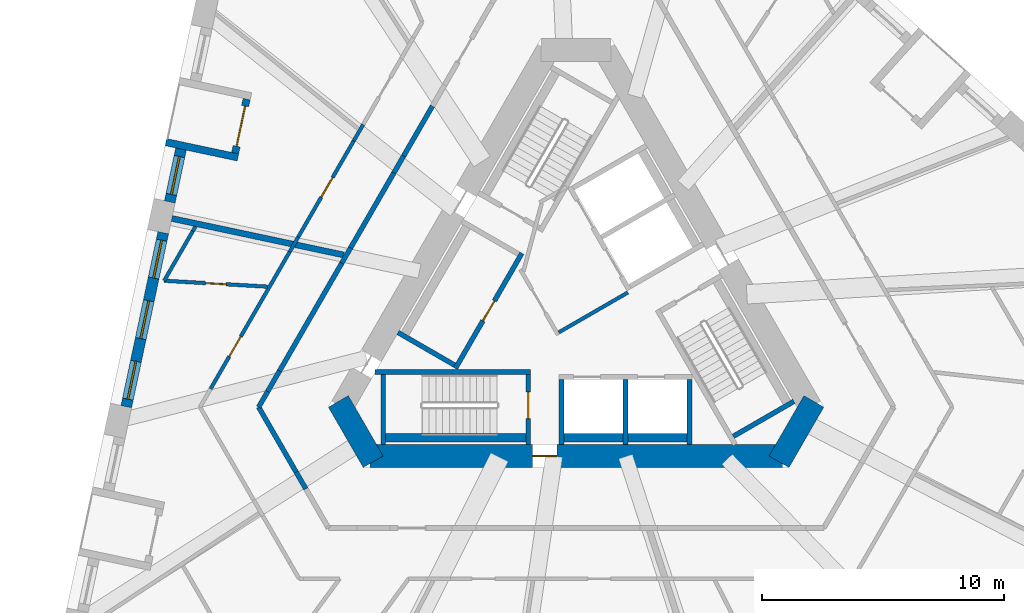
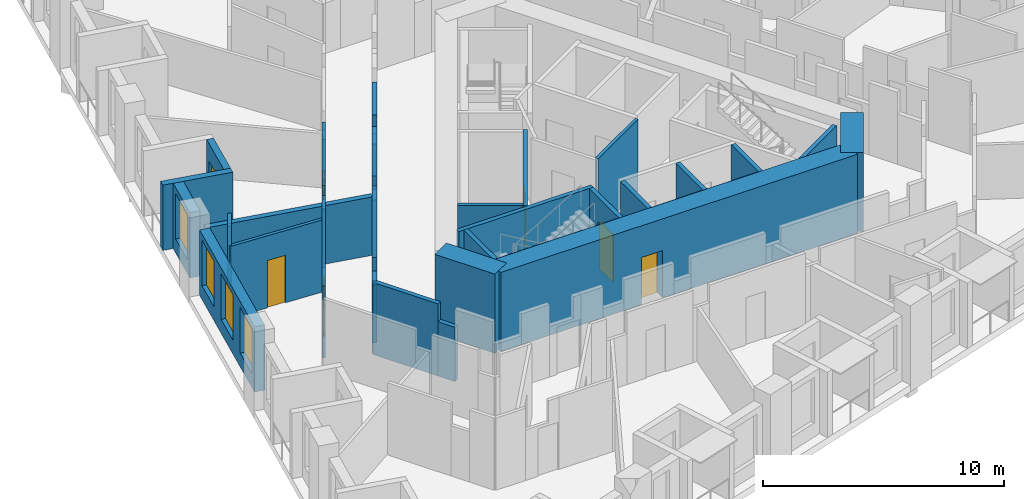
# One storey, part 4 of 12: 36 walls, 7 doors, 4 windows, 11 openings.
"""IFC4 building model written with IfcOpenShell, lengths in metres."""

from ifc_helpers import new_model, si_unit, direction, frame, frame_2d, origin, place, context, subcontext, project, spatial, rectangle, extrude, material, layer, layer_set, type_object, element, fill, save


model = new_model("IFC4")

# Units and contexts
model_context = context("Model", 3, precision=1e-05, world=origin(), true_north=direction((0.0, 1.0)))
body_context = subcontext(model_context, "Body", "Model", "MODEL_VIEW")
ifc_project = project(units=[si_unit("LENGTHUNIT", "METRE"), si_unit("AREAUNIT", "SQUARE_METRE"), si_unit("VOLUMEUNIT", "CUBIC_METRE"), si_unit("PLANEANGLEUNIT", "RADIAN"), si_unit("MASSUNIT", "GRAM", prefix="KILO")], contexts=[model_context])

# Site, building, storey
site_placement = place(None, origin())
site = spatial("IfcSite", under=ifc_project, at=site_placement, CompositionType="ELEMENT")
building_placement = place(site_placement, origin())
building = spatial("IfcBuilding", under=site, at=building_placement, Name="Tramontana Tower", CompositionType="ELEMENT")
storey_placement = place(building_placement, frame((0.0, 0.0, 88.39990234375)))
storey = spatial("IfcBuildingStorey", under=building, at=storey_placement, Name="L19", CompositionType="ELEMENT", Elevation=88.39990234375)

# Wall
ifc_material_1 = material(Name="Concrete 70 MPa", Category="concrete")
ifc_layer_1 = layer(ifc_material_1, 0.949951171875)
ifc_layer_set_1 = layer_set([ifc_layer_1], Name="Core wall 950 70 MPa")
wall_type_1 = type_object("IfcWallType", Name="Core wall 950 70 MPa", PredefinedType="SHEAR", material=ifc_layer_set_1)
wall_1_placement = place(storey_placement, frame((-9.836669921875, -4.012451171875, 0.0), z_axis=(0.0, 0.0, 1.0), x_axis=(0.499995765644, -0.866027848477, 0.0)))
element("IfcWall", 1, at=wall_1_placement, inside=storey, type_object=wall_type_1, Name="Core wall C2 L19", PredefinedType="SHEAR", context=body_context, shape_type="SweptSolid", body=[
    extrude(rectangle(XDim=2.88671875, YDim=0.949951171875, at=frame_2d((1.443359375, 0.0))), origin(), (0.0, 0.0, 1.0), 4.0),
])

# Wall, opening, door
wall_2_placement = place(storey_placement, frame((-8.530517578125, -6.27490234375, 0.0), z_axis=(0.0, 0.0, 1.0), x_axis=(1.0, 0.0, 0.0)))
wall_2 = element("IfcWall", 2, at=wall_2_placement, inside=storey, type_object=wall_type_1, Name="Core wall C3 L19", PredefinedType="SHEAR", context=body_context, shape_type="SweptSolid", body=[
    extrude(rectangle(XDim=17.06103515625, YDim=0.949951171875, at=frame_2d((8.530517578125, 0.0))), origin(), (0.0, 0.0, 1.0), 4.0),
])
opening_1_placement = place(wall_2_placement, frame((6.7353515625, 0.0, 0.0)))
opening_1 = element("IfcOpeningElement", 3, at=opening_1_placement, cuts=wall_2, Name="Opening RG2", PredefinedType="OPENING", context=body_context, shape_type="SweptSolid", body=[
    extrude(rectangle(XDim=1.0, YDim=2.39990234375, at=frame_2d((0.5, 1.199951171875))), frame((0.0, 0.48486328125, 0.0), z_axis=(0.0, -1.0, 0.0), x_axis=(1.0, 0.0, 0.0)), (0.0, 0.0, 1.0), 0.969970703125),
])
ifc_material_2 = material(Name="Painted steel", Category="steel")
door_type_1 = type_object("IfcDoorType", Name="RING DOOR 1000", OperationType="SINGLE_SWING_LEFT", PredefinedType="DOOR", material=ifc_material_2)
door_1_placement = place(opening_1_placement, origin())
door_1 = element("IfcDoor", 4, at=door_1_placement, inside=storey, type_object=door_type_1, Name="Door RG2", OperationType="SINGLE_SWING_RIGHT", OverallHeight=2.39990234375, OverallWidth=1.0, PredefinedType="DOOR", context=body_context, shape_type="SweptSolid", body=[
    extrude(rectangle(XDim=1.0, YDim=2.39990234375, at=frame_2d((0.5, 1.199951171875))), frame((0.0, 0.02490234375, 0.0), z_axis=(0.0, -1.0, 0.0), x_axis=(1.0, 0.0, 0.0)), (0.0, 0.0, 1.0), 0.050048828125),
])
fill(opening_1, door_1)

# Walls
wall_3_placement = place(storey_placement, frame((8.393310546875, -6.512451171875, 0.0), z_axis=(0.0, 0.0, 1.0), x_axis=(0.499995765644, 0.866027848477, 0.0)))
element("IfcWall", 5, at=wall_3_placement, inside=storey, type_object=wall_type_1, Name="Core wall C4 L19", PredefinedType="SHEAR", context=body_context, shape_type="SweptSolid", body=[
    extrude(rectangle(XDim=2.88671875, YDim=0.949951171875, at=frame_2d((1.443359375, 0.0))), origin(), (0.0, 0.0, 1.0), 4.0),
])
ifc_material_3 = material(Name="Blockwork", Category="masonry")
ifc_layer_2 = layer(ifc_material_3, 0.199951171875)
ifc_layer_set_2 = layer_set([ifc_layer_2], Name="ENTRY WALL 200")
wall_type_2 = type_object("IfcWallType", Name="ENTRY WALL 200", PredefinedType="SOLIDWALL", material=ifc_layer_set_2)
wall_4_placement = place(storey_placement, frame((-11.181884765625, -7.63232421875, 0.0), z_axis=(0.0, 0.0, 1.0), x_axis=(-0.499942357345, 0.866058681229, 0.0)))
element("IfcWall", 6, at=wall_4_placement, inside=storey, type_object=wall_type_2, Name="Wall v20-ew3-2", PredefinedType="SOLIDWALL", context=body_context, shape_type="SweptSolid", body=[
    extrude(rectangle(XDim=0.80078125, YDim=0.199951171875, at=frame_2d((0.400390625, 0.0))), origin(), (0.0, 0.0, 1.0), 2.75),
])
wall_5_placement = place(storey_placement, frame((-11.582275390625, -6.938720703125, 0.0), z_axis=(0.0, 0.0, 1.0), x_axis=(-0.500037831766, 0.866003560503, 0.0)))
element("IfcWall", 7, at=wall_5_placement, inside=storey, type_object=wall_type_2, Name="Wall v20-ew3-3", PredefinedType="SOLIDWALL", context=body_context, shape_type="SweptSolid", body=[
    extrude(rectangle(XDim=3.104736328125, YDim=0.199951171875, at=frame_2d((1.55224609375, 0.0))), origin(), (0.0, 0.0, 1.0), 3.650146484375),
])
wall_6_placement = place(storey_placement, frame((-13.134765625, -4.25, 0.0), z_axis=(0.0, 0.0, 1.0), x_axis=(0.499987686533, 0.866032512851, 0.0)))
element("IfcWall", 8, at=wall_6_placement, inside=storey, type_object=wall_type_2, Name="Wall v20-ew4-0", PredefinedType="SOLIDWALL", context=body_context, shape_type="SweptSolid", body=[
    extrude(rectangle(XDim=0.74365234375, YDim=0.199951171875, at=frame_2d((0.371826171875, 0.0))), origin(), (0.0, 0.0, 1.0), 3.650146484375),
])
wall_7_placement = place(storey_placement, frame((-12.762939453125, -3.60595703125, 0.0), z_axis=(0.0, 0.0, 1.0), x_axis=(0.500061185694, 0.865990075325, 0.0)))
element("IfcWall", 9, at=wall_7_placement, inside=storey, type_object=wall_type_2, Name="Wall v20-ew4-1", PredefinedType="SOLIDWALL", context=body_context, shape_type="SweptSolid", body=[
    extrude(rectangle(XDim=0.9775390625, YDim=0.199951171875, at=frame_2d((0.48876953125, 0.0))), origin(), (0.0, 0.0, 1.0), 2.9501953125),
])
wall_8_placement = place(storey_placement, frame((-12.274169921875, -2.759521484375, 0.0), z_axis=(0.0, 0.0, 1.0), x_axis=(0.500001317485, 0.866024643133, 0.0)))
element("IfcWall", 10, at=wall_8_placement, inside=storey, type_object=wall_type_2, Name="Wall v20-ew4-2", PredefinedType="SOLIDWALL", context=body_context, shape_type="SweptSolid", body=[
    extrude(rectangle(XDim=5.1533203125, YDim=0.199951171875, at=frame_2d((2.57666015625, 0.0))), origin(), (0.0, 0.0, 1.0), 3.650146484375),
])
wall_9_placement = place(storey_placement, frame((-9.697509765625, 1.703369140625, 0.0), z_axis=(0.0, 0.0, 1.0), x_axis=(0.499885169746, 0.866091690913, 0.0)))
element("IfcWall", 11, at=wall_9_placement, inside=storey, type_object=wall_type_2, Name="Wall v20-ew4-3", PredefinedType="SOLIDWALL", context=body_context, shape_type="SweptSolid", body=[
    extrude(rectangle(XDim=0.736083984375, YDim=0.199951171875, at=frame_2d((0.3681640625, 0.0))), origin(), (0.0, 0.0, 1.0), 2.9501953125),
])
wall_10_placement = place(storey_placement, frame((-9.32958984375, 2.3408203125, 0.0), z_axis=(0.0, 0.0, 1.0), x_axis=(0.500029679218, 0.866008267802, 0.0)))
element("IfcWall", 12, at=wall_10_placement, inside=storey, type_object=wall_type_2, Name="Wall v20-ew4-4", PredefinedType="SOLIDWALL", context=body_context, shape_type="SweptSolid", body=[
    extrude(rectangle(XDim=3.576904296875, YDim=0.199951171875, at=frame_2d((1.78857421875, 0.0))), origin(), (0.0, 0.0, 1.0), 3.650146484375),
])
wall_11_placement = place(storey_placement, frame((-7.541015625, 5.4384765625, 0.0), z_axis=(0.0, 0.0, 1.0), x_axis=(0.499809598504, 0.866135304236, 0.0)))
element("IfcWall", 13, at=wall_11_placement, inside=storey, type_object=wall_type_2, Name="Wall v20-ew4-5", PredefinedType="SOLIDWALL", context=body_context, shape_type="SweptSolid", body=[
    extrude(rectangle(XDim=0.808349609375, YDim=0.199951171875, at=frame_2d((0.404296875, 0.0))), origin(), (0.0, 0.0, 1.0), 2.75),
])
wall_12_placement = place(storey_placement, frame((-7.136962890625, 6.138671875, 0.0), z_axis=(0.0, 0.0, 1.0), x_axis=(0.500035462246, 0.866004928679, 0.0)))
element("IfcWall", 14, at=wall_12_placement, inside=storey, type_object=wall_type_2, Name="Wall v20-ew4-6", PredefinedType="SOLIDWALL", context=body_context, shape_type="SweptSolid", body=[
    extrude(rectangle(XDim=2.385498046875, YDim=0.199951171875, at=frame_2d((1.19287109375, 0.0))), origin(), (0.0, 0.0, 1.0), 3.650146484375),
])

# Wall, opening, window
ifc_material_4 = material(Name="Precast concrete 60 MPa", Category="concrete")
ifc_layer_3 = layer(ifc_material_4, 0.449951171875)
ifc_layer_set_3 = layer_set([ifc_layer_3], Name="Precast concrete 60 MPa, 450 mm")
wall_type_3 = type_object("IfcWallType", Name="EW1 Stone-faced precast wall 450", PredefinedType="SOLIDWALL", material=ifc_layer_set_3)
wall_13_placement = place(storey_placement, frame((-16.34619140625, 6.42578125, 0.0), z_axis=(0.0, 0.0, 1.0), x_axis=(-0.207918801611, -0.978146089261, 0.0)))
wall_13 = element("IfcWall", 15, at=wall_13_placement, inside=storey, type_object=wall_type_3, Name="External wall L19 face 0 bay 3", PredefinedType="SOLIDWALL", context=body_context, shape_type="SweptSolid", body=[
    extrude(rectangle(XDim=2.23681640625, YDim=0.449951171875, at=frame_2d((1.118408203125, 0.0))), origin(), (0.0, 0.0, 1.0), 3.300048828125),
])
opening_2_placement = place(wall_13_placement, frame((0.318359375, 0.0, 0.699951171875)))
opening_2 = element("IfcOpeningElement", 16, at=opening_2_placement, cuts=wall_13, Name="Opening M1", PredefinedType="OPENING", context=body_context, shape_type="SweptSolid", body=[
    extrude(rectangle(XDim=1.60009765625, YDim=2.300048828125, at=frame_2d((0.800048828125, 1.14990234375))), frame((0.0, 0.23486328125, 0.0), z_axis=(0.0, -1.0, 0.0), x_axis=(1.0, 0.0, 0.0)), (0.0, 0.0, 1.0), 0.469970703125),
])
ifc_material_5 = material(Name="Aluminum frame, double glazing unit", Category="aluminium")
window_type = type_object("IfcWindowType", Name="M1 Window 1.6 x 2.3", PartitioningType="SINGLE_PANEL", PredefinedType="WINDOW", material=ifc_material_5)
window_1_placement = place(opening_2_placement, origin())
window_1 = element("IfcWindow", 17, at=window_1_placement, inside=storey, type_object=window_type, Name="Window M1 L19 face 0 module 9", OverallHeight=2.300048828125, OverallWidth=1.60009765625, PartitioningType="SINGLE_PANEL", PredefinedType="WINDOW", context=body_context, shape_type="SweptSolid", body=[
    extrude(rectangle(XDim=1.60009765625, YDim=2.300048828125, at=frame_2d((0.800048828125, 1.14990234375))), frame((0.0, 0.030029296875, 0.0), z_axis=(0.0, -1.0, 0.0), x_axis=(1.0, 0.0, 0.0)), (0.0, 0.0, 1.0), 0.06005859375),
])
fill(opening_2, window_1)

# Wall, openings, windows
wall_14_placement = place(storey_placement, frame((-17.08154296875, 2.96630859375, 0.0), z_axis=(0.0, 0.0, 1.0), x_axis=(-0.207909137741, -0.978148143403, 0.0)))
wall_14 = element("IfcWall", 18, at=wall_14_placement, inside=storey, type_object=wall_type_3, Name="External wall L19 face 0 bay 4", PredefinedType="SOLIDWALL", context=body_context, shape_type="SweptSolid", body=[
    extrude(rectangle(XDim=7.3603515625, YDim=0.449951171875, at=frame_2d((3.68017578125, 0.0))), origin(), (0.0, 0.0, 1.0), 3.300048828125),
])
opening_3_placement = place(wall_14_placement, frame((0.318359375, 0.0, 0.699951171875)))
opening_3 = element("IfcOpeningElement", 19, at=opening_3_placement, cuts=wall_14, Name="Opening M1", PredefinedType="OPENING", context=body_context, shape_type="SweptSolid", body=[
    extrude(rectangle(XDim=1.60009765625, YDim=2.300048828125, at=frame_2d((0.800048828125, 1.14990234375))), frame((0.0, 0.23486328125, 0.0), z_axis=(0.0, -1.0, 0.0), x_axis=(1.0, 0.0, 0.0)), (0.0, 0.0, 1.0), 0.469970703125),
])
opening_4_placement = place(wall_14_placement, frame((2.880126953125, 0.0, 0.699951171875)))
opening_4 = element("IfcOpeningElement", 20, at=opening_4_placement, cuts=wall_14, Name="Opening M1", PredefinedType="OPENING", context=body_context, shape_type="SweptSolid", body=[
    extrude(rectangle(XDim=1.60009765625, YDim=2.300048828125, at=frame_2d((0.800048828125, 1.14990234375))), frame((0.0, 0.23486328125, 0.0), z_axis=(0.0, -1.0, 0.0), x_axis=(1.0, 0.0, 0.0)), (0.0, 0.0, 1.0), 0.469970703125),
])
opening_5_placement = place(wall_14_placement, frame((5.44189453125, 0.0, 0.699951171875)))
opening_5 = element("IfcOpeningElement", 21, at=opening_5_placement, cuts=wall_14, Name="Opening M1", PredefinedType="OPENING", context=body_context, shape_type="SweptSolid", body=[
    extrude(rectangle(XDim=1.60009765625, YDim=2.300048828125, at=frame_2d((0.800048828125, 1.14990234375))), frame((0.0, 0.23486328125, 0.0), z_axis=(0.0, -1.0, 0.0), x_axis=(1.0, 0.0, 0.0)), (0.0, 0.0, 1.0), 0.469970703125),
])
window_2_placement = place(opening_3_placement, origin())
window_2 = element("IfcWindow", 22, at=window_2_placement, inside=storey, type_object=window_type, Name="Window M1 L19 face 0 module 10", OverallHeight=2.300048828125, OverallWidth=1.60009765625, PartitioningType="SINGLE_PANEL", PredefinedType="WINDOW", context=body_context, shape_type="SweptSolid", body=[
    extrude(rectangle(XDim=1.60009765625, YDim=2.300048828125, at=frame_2d((0.800048828125, 1.14990234375))), frame((0.0, 0.030029296875, 0.0), z_axis=(0.0, -1.0, 0.0), x_axis=(1.0, 0.0, 0.0)), (0.0, 0.0, 1.0), 0.06005859375),
])
fill(opening_3, window_2)
window_3_placement = place(opening_4_placement, origin())
window_3 = element("IfcWindow", 23, at=window_3_placement, inside=storey, type_object=window_type, Name="Window M1 L19 face 0 module 11", OverallHeight=2.300048828125, OverallWidth=1.60009765625, PartitioningType="SINGLE_PANEL", PredefinedType="WINDOW", context=body_context, shape_type="SweptSolid", body=[
    extrude(rectangle(XDim=1.60009765625, YDim=2.300048828125, at=frame_2d((0.800048828125, 1.14990234375))), frame((0.0, 0.030029296875, 0.0), z_axis=(0.0, -1.0, 0.0), x_axis=(1.0, 0.0, 0.0)), (0.0, 0.0, 1.0), 0.06005859375),
])
fill(opening_4, window_3)
window_4_placement = place(opening_5_placement, origin())
window_4 = element("IfcWindow", 24, at=window_4_placement, inside=storey, type_object=window_type, Name="Window M1 L19 face 0 module 12", OverallHeight=2.300048828125, OverallWidth=1.60009765625, PartitioningType="SINGLE_PANEL", PredefinedType="WINDOW", context=body_context, shape_type="SweptSolid", body=[
    extrude(rectangle(XDim=1.60009765625, YDim=2.300048828125, at=frame_2d((0.800048828125, 1.14990234375))), frame((0.0, 0.030029296875, 0.0), z_axis=(0.0, -1.0, 0.0), x_axis=(1.0, 0.0, 0.0)), (0.0, 0.0, 1.0), 0.06005859375),
])
fill(opening_5, window_4)

# Wall, opening, door
ifc_material_6 = material(Name="Precast concrete 60 MPa", Category="concrete")
ifc_layer_4 = layer(ifc_material_6, 0.300048828125)
ifc_layer_set_4 = layer_set([ifc_layer_4], Name="LW1 Stone-faced loggia wall 300")
wall_type_4 = type_object("IfcWallType", Name="LW1 Stone-faced loggia wall 300", PredefinedType="SOLIDWALL", material=ifc_layer_set_4)
wall_15_placement = place(storey_placement, frame((-13.632080078125, 8.493408203125, 0.0), z_axis=(0.0, 0.0, 1.0), x_axis=(-0.207866417042, -0.978157222877, 0.0)))
wall_15 = element("IfcWall", 25, at=wall_15_placement, inside=storey, type_object=wall_type_4, Name="Loggia wall L19 G2S0.7", PredefinedType="SOLIDWALL", context=body_context, shape_type="SweptSolid", body=[
    extrude(rectangle(XDim=2.286865234375, YDim=0.300048828125, at=frame_2d((1.1435546875, 0.0))), origin(), (0.0, 0.0, 1.0), 3.300048828125),
])
opening_6_placement = place(wall_15_placement, frame((0.29345703125, 0.0, 0.0)))
opening_6 = element("IfcOpeningElement", 26, at=opening_6_placement, cuts=wall_15, Name="Opening BD-2S0-07", PredefinedType="OPENING", context=body_context, shape_type="SweptSolid", body=[
    extrude(rectangle(XDim=1.699951171875, YDim=2.39990234375, at=frame_2d((0.85009765625, 1.199951171875))), frame((0.0, 0.159912109375, 0.0), z_axis=(0.0, -1.0, 0.0), x_axis=(1.0, 0.0, 0.0)), (0.0, 0.0, 1.0), 0.320068359375),
])
ifc_material_7 = material(Name="Aluminum frame, double glazing unit", Category="aluminium")
door_type_2 = type_object("IfcDoorType", Name="BD1 Sliding door 1.7 x 2.4", OperationType="SLIDING_TO_LEFT", PredefinedType="DOOR", material=ifc_material_7)
door_2_placement = place(opening_6_placement, origin())
door_2 = element("IfcDoor", 27, at=door_2_placement, inside=storey, type_object=door_type_2, Name="Loggia door L19 G2S0.7", OperationType="SLIDING_TO_LEFT", OverallHeight=2.39990234375, OverallWidth=1.699951171875, PredefinedType="DOOR", context=body_context, shape_type="SweptSolid", body=[
    extrude(rectangle(XDim=1.699951171875, YDim=2.39990234375, at=frame_2d((0.85009765625, 1.199951171875))), frame((0.0, 0.02490234375, 0.0), z_axis=(0.0, -1.0, 0.0), x_axis=(1.0, 0.0, 0.0)), (0.0, 0.0, 1.0), 0.050048828125),
])
fill(opening_6, door_2)

# Walls
wall_16_placement = place(storey_placement, frame((-16.975341796875, 6.712890625, 0.0), z_axis=(0.0, 0.0, 1.0), x_axis=(0.978138503145, -0.207954487003, 0.0)))
element("IfcWall", 28, at=wall_16_placement, inside=storey, type_object=wall_type_4, Name="Loggia return L19 G2S0.7b", PredefinedType="SOLIDWALL", context=body_context, shape_type="SweptSolid", body=[
    extrude(rectangle(XDim=3.050048828125, YDim=0.300048828125, at=frame_2d((1.52490234375, 0.0))), origin(), (0.0, 0.0, 1.0), 3.300048828125),
])
ifc_material_8 = material(Name="Gypsum board partition")
ifc_layer_5 = layer(ifc_material_8, 0.14990234375)
ifc_layer_set_5 = layer_set([ifc_layer_5], Name="PARTITION 150")
wall_type_5 = type_object("IfcWallType", Name="PARTITION 150", PredefinedType="PARTITIONING", material=ifc_layer_set_5)
wall_17_placement = place(storey_placement, frame((-0.716796875, -1.15869140625, 0.0), z_axis=(0.0, 0.0, 1.0), x_axis=(0.866008176907, 0.50002983664, 0.0)))
element("IfcWall", 29, at=wall_17_placement, inside=storey, type_object=wall_type_5, Name="Wall ff-end0", PredefinedType="PARTITIONING", context=body_context, shape_type="SweptSolid", body=[
    extrude(rectangle(XDim=3.300048828125, YDim=0.14990234375, at=frame_2d((1.64990234375, 0.0))), origin(), (0.0, 0.0, 1.0), 3.650146484375),
])
wall_18_placement = place(storey_placement, frame((-17.044189453125, 0.978515625, 0.0), z_axis=(0.0, 0.0, 1.0), x_axis=(0.499969694265, 0.866042900102, 0.0)))
element("IfcWall", 30, at=wall_18_placement, inside=storey, type_object=wall_type_5, Name="Wall v20-pw01-0", PredefinedType="PARTITIONING", context=body_context, shape_type="SweptSolid", body=[
    extrude(rectangle(XDim=2.364990234375, YDim=0.14990234375, at=frame_2d((1.1826171875, 0.0))), origin(), (0.0, 0.0, 1.0), 3.650146484375),
])
wall_19_placement = place(storey_placement, frame((-15.86181640625, 3.026611328125, 0.0), z_axis=(0.0, 0.0, 1.0), x_axis=(0.500605348058, 0.865675623716, 0.0)))
element("IfcWall", 31, at=wall_19_placement, inside=storey, type_object=wall_type_5, Name="Wall v20-pw01-1", PredefinedType="PARTITIONING", context=body_context, shape_type="SweptSolid", body=[
    extrude(rectangle(XDim=0.223388671875, YDim=0.14990234375, at=frame_2d((0.11181640625, 0.0))), origin(), (0.0, 0.0, 1.0), 2.9501953125),
])

# Wall, opening, door
wall_20_placement = place(storey_placement, frame((-15.125, -3.4970703125, 0.0), z_axis=(0.0, 0.0, 1.0), x_axis=(0.500008610982, 0.866020432175, 0.0)))
wall_20 = element("IfcWall", 32, at=wall_20_placement, inside=storey, type_object=wall_type_5, Name="Wall v20-pw02-1", PredefinedType="PARTITIONING", context=body_context, shape_type="SweptSolid", body=[
    extrude(rectangle(XDim=6.54833984375, YDim=0.14990234375, at=frame_2d((3.274169921875, 0.0))), origin(), (0.0, 0.0, 1.0), 3.650146484375),
])
opening_7_placement = place(wall_20_placement, frame((1.55126953125, 0.0, 0.0)))
opening_7 = element("IfcOpeningElement", 33, at=opening_7_placement, cuts=wall_20, Name="Opening B2A-11", PredefinedType="OPENING", context=body_context, shape_type="SweptSolid", body=[
    extrude(rectangle(XDim=0.949951171875, YDim=2.39990234375, at=frame_2d((0.47509765625, 1.199951171875))), frame((0.0, 0.0849609375, 0.0), z_axis=(0.0, -1.0, 0.0), x_axis=(1.0, 0.0, 0.0)), (0.0, 0.0, 1.0), 0.169921875),
])
ifc_material_9 = material(Name="Painted timber", Category="wood")
door_type_3 = type_object("IfcDoorType", Name="DOOR ROOM 950", OperationType="SINGLE_SWING_LEFT", PredefinedType="DOOR", material=ifc_material_9)
door_3_placement = place(opening_7_placement, origin())
door_3 = element("IfcDoor", 34, at=door_3_placement, inside=storey, type_object=door_type_3, Name="Door B2A-11", OperationType="SINGLE_SWING_LEFT", OverallHeight=2.39990234375, OverallWidth=0.949951171875, PredefinedType="DOOR", context=body_context, shape_type="SweptSolid", body=[
    extrude(rectangle(XDim=0.949951171875, YDim=2.39990234375, at=frame_2d((0.47509765625, 1.199951171875))), frame((0.0, 0.02490234375, 0.0), z_axis=(0.0, -1.0, 0.0), x_axis=(1.0, 0.0, 0.0)), (0.0, 0.0, 1.0), 0.050048828125),
])
fill(opening_7, door_3)

# Wall
wall_21_placement = place(storey_placement, frame((-11.850830078125, 2.173828125, 0.0), z_axis=(0.0, 0.0, 1.0), x_axis=(0.500059846627, 0.865990848561, 0.0)))
element("IfcWall", 35, at=wall_21_placement, inside=storey, type_object=wall_type_5, Name="Wall v20-pw02-2", PredefinedType="PARTITIONING", context=body_context, shape_type="SweptSolid", body=[
    extrude(rectangle(XDim=0.7099609375, YDim=0.14990234375, at=frame_2d((0.35498046875, 0.0))), origin(), (0.0, 0.0, 1.0), 2.9501953125),
])

# Wall, opening, door
wall_22_placement = place(storey_placement, frame((-11.495849609375, 2.78857421875, 0.0), z_axis=(0.0, 0.0, 1.0), x_axis=(0.499983361514, 0.866035009806, 0.0)))
wall_22 = element("IfcWall", 36, at=wall_22_placement, inside=storey, type_object=wall_type_5, Name="Wall v20-pw02-3", PredefinedType="PARTITIONING", context=body_context, shape_type="SweptSolid", body=[
    extrude(rectangle(XDim=4.590087890625, YDim=0.14990234375, at=frame_2d((2.294921875, 0.0))), origin(), (0.0, 0.0, 1.0), 3.650146484375),
])
opening_8_placement = place(wall_22_placement, frame((1.900146484375, 0.0, 0.0)))
opening_8 = element("IfcOpeningElement", 37, at=opening_8_placement, cuts=wall_22, Name="Opening B2A-06", PredefinedType="OPENING", context=body_context, shape_type="SweptSolid", body=[
    extrude(rectangle(XDim=0.949951171875, YDim=2.39990234375, at=frame_2d((0.47509765625, 1.199951171875))), frame((0.0, 0.0849609375, 0.0), z_axis=(0.0, -1.0, 0.0), x_axis=(1.0, 0.0, 0.0)), (0.0, 0.0, 1.0), 0.169921875),
])
door_4_placement = place(opening_8_placement, origin())
door_4 = element("IfcDoor", 38, at=door_4_placement, inside=storey, type_object=door_type_3, Name="Door B2A-06", OperationType="SINGLE_SWING_RIGHT", OverallHeight=2.39990234375, OverallWidth=0.949951171875, PredefinedType="DOOR", context=body_context, shape_type="SweptSolid", body=[
    extrude(rectangle(XDim=0.949951171875, YDim=2.39990234375, at=frame_2d((0.47509765625, 1.199951171875))), frame((0.0, 0.02490234375, 0.0), z_axis=(0.0, -1.0, 0.0), x_axis=(1.0, 0.0, 0.0)), (0.0, 0.0, 1.0), 0.050048828125),
])
fill(opening_8, door_4)

# Wall
wall_23_placement = place(storey_placement, frame((-9.200927734375, 6.763671875, 0.0), z_axis=(0.0, 0.0, 1.0), x_axis=(0.500028278809, 0.866009076391, 0.0)))
element("IfcWall", 39, at=wall_23_placement, inside=storey, type_object=wall_type_5, Name="Wall v20-pw02-4", PredefinedType="PARTITIONING", context=body_context, shape_type="SweptSolid", body=[
    extrude(rectangle(XDim=0.783203125, YDim=0.14990234375, at=frame_2d((0.3916015625, 0.0))), origin(), (0.0, 0.0, 1.0), 2.75),
])

# Wall, opening, door
wall_24_placement = place(storey_placement, frame((-17.044189453125, 0.978515625, 0.0), z_axis=(0.0, 0.0, 1.0), x_axis=(0.998356921025, -0.057301468054, 0.0)))
wall_24 = element("IfcWall", 40, at=wall_24_placement, inside=storey, type_object=wall_type_5, Name="Wall v20-pw04", PredefinedType="PARTITIONING", context=body_context, shape_type="SweptSolid", body=[
    extrude(rectangle(XDim=4.281982421875, YDim=0.14990234375, at=frame_2d((2.14111328125, 0.0))), origin(), (0.0, 0.0, 1.0), 3.650146484375),
])
opening_9_placement = place(wall_24_placement, frame((1.716064453125, 0.0, 0.0)))
opening_9 = element("IfcOpeningElement", 41, at=opening_9_placement, cuts=wall_24, Name="Opening B2A-14", PredefinedType="OPENING", context=body_context, shape_type="SweptSolid", body=[
    extrude(rectangle(XDim=0.85009765625, YDim=2.39990234375, at=frame_2d((0.425048828125, 1.199951171875))), frame((0.0, 0.0849609375, 0.0), z_axis=(0.0, -1.0, 0.0), x_axis=(1.0, 0.0, 0.0)), (0.0, 0.0, 1.0), 0.169921875),
])
ifc_material_10 = material(Name="Painted timber", Category="wood")
door_type_4 = type_object("IfcDoorType", Name="DOOR BATH 850", OperationType="SINGLE_SWING_LEFT", PredefinedType="DOOR", material=ifc_material_10)
door_5_placement = place(opening_9_placement, origin())
door_5 = element("IfcDoor", 42, at=door_5_placement, inside=storey, type_object=door_type_4, Name="Door B2A-14", OperationType="SINGLE_SWING_RIGHT", OverallHeight=2.39990234375, OverallWidth=0.85009765625, PredefinedType="DOOR", context=body_context, shape_type="SweptSolid", body=[
    extrude(rectangle(XDim=0.85009765625, YDim=2.39990234375, at=frame_2d((0.425048828125, 1.199951171875))), frame((0.0, 0.02490234375, 0.0), z_axis=(0.0, -1.0, 0.0), x_axis=(1.0, 0.0, 0.0)), (0.0, 0.0, 1.0), 0.050048828125),
])
fill(opening_9, door_5)

# Walls
ifc_material_11 = material(Name="Blockwork", Category="masonry")
ifc_layer_6 = layer(ifc_material_11, 0.25)
ifc_layer_set_6 = layer_set([ifc_layer_6], Name="PARTY WALL 250")
wall_type_6 = type_object("IfcWallType", Name="PARTY WALL 250", PredefinedType="SOLIDWALL", material=ifc_layer_set_6)
wall_25_placement = place(storey_placement, frame((-9.616455078125, 2.0439453125, 0.0), z_axis=(0.0, 0.0, 1.0), x_axis=(-0.978148093834, 0.207909370951, 0.0)))
element("IfcWall", 43, at=wall_25_placement, inside=storey, type_object=wall_type_6, Name="Wall v20-pw08-0", PredefinedType="SOLIDWALL", context=body_context, shape_type="SweptSolid", body=[
    extrude(rectangle(XDim=7.268798828125, YDim=0.25, at=frame_2d((3.63427734375, 0.0))), origin(), (0.0, 0.0, 1.0), 2.9501953125),
])
ifc_material_12 = material(Name="Concrete 70 MPa", Category="concrete")
ifc_layer_7 = layer(ifc_material_12, 0.35009765625)
ifc_layer_set_7 = layer_set([ifc_layer_7], Name="Concrete 70 MPa, 350 mm")
wall_type_7 = type_object("IfcWallType", Name="RC SHAFT BACK WALL 350", PredefinedType="SOLIDWALL", material=ifc_layer_set_7)
wall_26_placement = place(storey_placement, frame((-8.080078125, -5.52490234375, 0.0), z_axis=(0.0, 0.0, 1.0), x_axis=(1.0, 0.0, 0.0)))
element("IfcWall", 44, at=wall_26_placement, inside=storey, type_object=wall_type_7, Name="Wall st2-back", PredefinedType="SOLIDWALL", context=body_context, shape_type="SweptSolid", body=[
    extrude(rectangle(XDim=6.2001953125, YDim=0.35009765625, at=frame_2d((3.10009765625, 0.0))), origin(), (0.0, 0.0, 1.0), 3.650146484375),
])
wall_27_placement = place(storey_placement, frame((-0.7099609375, -5.52490234375, 0.0), z_axis=(0.0, 0.0, 1.0), x_axis=(1.0, 0.0, 0.0)))
element("IfcWall", 45, at=wall_27_placement, inside=storey, type_object=wall_type_7, Name="Wall row1-back", PredefinedType="SOLIDWALL", context=body_context, shape_type="SweptSolid", body=[
    extrude(rectangle(XDim=5.5, YDim=0.35009765625, at=frame_2d((2.75, 0.0))), origin(), (0.0, 0.0, 1.0), 3.650146484375),
])
ifc_material_13 = material(Name="Concrete 70 MPa", Category="concrete")
ifc_layer_8 = layer(ifc_material_13, 0.199951171875)
ifc_layer_set_8 = layer_set([ifc_layer_8], Name="Concrete 70 MPa, 200 mm")
wall_type_8 = type_object("IfcWallType", Name="RC STAIR AND SHAFT WALL 200", PredefinedType="SOLIDWALL", material=ifc_layer_set_8)
wall_28_placement = place(storey_placement, frame((-8.31396484375, -2.800048828125, 0.0), z_axis=(0.0, 0.0, 1.0), x_axis=(1.0, 0.0, 0.0)))
element("IfcWall", 46, at=wall_28_placement, inside=storey, type_object=wall_type_8, Name="Wall st2-front", PredefinedType="SOLIDWALL", context=body_context, shape_type="SweptSolid", body=[
    extrude(rectangle(XDim=6.43408203125, YDim=0.199951171875, at=frame_2d((3.217041015625, 0.0))), origin(), (0.0, 0.0, 1.0), 3.650146484375),
])
wall_29_placement = place(storey_placement, frame((-7.97998046875, -2.89990234375, 0.0), z_axis=(0.0, 0.0, 1.0), x_axis=(0.0, -1.0, 0.0)))
element("IfcWall", 47, at=wall_29_placement, inside=storey, type_object=wall_type_8, Name="Wall st2-far", PredefinedType="SOLIDWALL", context=body_context, shape_type="SweptSolid", body=[
    extrude(rectangle(XDim=2.900146484375, YDim=0.199951171875, at=frame_2d((1.4501953125, 0.0))), origin(), (0.0, 0.0, 1.0), 3.650146484375),
])

# Wall, opening, door
wall_30_placement = place(storey_placement, frame((-1.97998046875, -2.89990234375, 0.0), z_axis=(0.0, 0.0, 1.0), x_axis=(0.0, -1.0, 0.0)))
wall_30 = element("IfcWall", 48, at=wall_30_placement, inside=storey, type_object=wall_type_8, Name="Wall st2-near", PredefinedType="SOLIDWALL", context=body_context, shape_type="SweptSolid", body=[
    extrude(rectangle(XDim=2.900146484375, YDim=0.199951171875, at=frame_2d((1.4501953125, 0.0))), origin(), (0.0, 0.0, 1.0), 3.650146484375),
])
opening_10_placement = place(wall_30_placement, frame((0.72509765625, 0.0, 0.0)))
opening_10 = element("IfcOpeningElement", 49, at=opening_10_placement, cuts=wall_30, Name="Opening SD2", PredefinedType="OPENING", context=body_context, shape_type="SweptSolid", body=[
    extrude(rectangle(XDim=1.10009765625, YDim=2.39990234375, at=frame_2d((0.550048828125, 1.199951171875))), frame((0.0, 0.10986328125, 0.0), z_axis=(0.0, -1.0, 0.0), x_axis=(1.0, 0.0, 0.0)), (0.0, 0.0, 1.0), 0.219970703125),
])
ifc_material_14 = material(Name="Painted steel", Category="steel")
door_type_5 = type_object("IfcDoorType", Name="STAIR DOOR 1100", OperationType="SINGLE_SWING_LEFT", PredefinedType="DOOR", material=ifc_material_14)
door_6_placement = place(opening_10_placement, origin())
door_6 = element("IfcDoor", 50, at=door_6_placement, inside=storey, type_object=door_type_5, Name="Door SD2", OperationType="SINGLE_SWING_LEFT", OverallHeight=2.39990234375, OverallWidth=1.10009765625, PredefinedType="DOOR", context=body_context, shape_type="SweptSolid", body=[
    extrude(rectangle(XDim=1.10009765625, YDim=2.39990234375, at=frame_2d((0.550048828125, 1.199951171875))), frame((0.0, 0.02490234375, 0.0), z_axis=(0.0, -1.0, 0.0), x_axis=(1.0, 0.0, 0.0)), (0.0, 0.0, 1.0), 0.050048828125),
])
fill(opening_10, door_6)

# Wall
wall_31_placement = place(storey_placement, frame((6.50146484375, -5.4609375, 0.0), z_axis=(0.0, 0.0, 1.0), x_axis=(0.866032775405, 0.499987231761, 0.0)))
element("IfcWall", 51, at=wall_31_placement, inside=storey, type_object=wall_type_8, Name="Wall st3-far", PredefinedType="SOLIDWALL", context=body_context, shape_type="SweptSolid", body=[
    extrude(rectangle(XDim=2.89990234375, YDim=0.199951171875, at=frame_2d((1.449951171875, 0.0))), origin(), (0.0, 0.0, 1.0), 3.650146484375),
])

# Wall, opening, door
wall_32_placement = place(storey_placement, frame((-4.9931640625, -2.648193359375, 0.0), z_axis=(0.0, 0.0, 1.0), x_axis=(0.499996545922, 0.866027397988, 0.0)))
wall_32 = element("IfcWall", 52, at=wall_32_placement, inside=storey, type_object=wall_type_8, Name="Wall row0-front", PredefinedType="SOLIDWALL", context=body_context, shape_type="SweptSolid", body=[
    extrude(rectangle(XDim=5.5, YDim=0.199951171875, at=frame_2d((2.75, 0.0))), origin(), (0.0, 0.0, 1.0), 3.650146484375),
])
opening_11_placement = place(wall_32_placement, frame((2.27490234375, 0.0, 0.0)))
opening_11 = element("IfcOpeningElement", 53, at=opening_11_placement, cuts=wall_32, Name="Opening RD-0", PredefinedType="OPENING", context=body_context, shape_type="SweptSolid", body=[
    extrude(rectangle(XDim=0.949951171875, YDim=2.39990234375, at=frame_2d((0.47509765625, 1.199951171875))), frame((0.0, 0.10986328125, 0.0), z_axis=(0.0, -1.0, 0.0), x_axis=(1.0, 0.0, 0.0)), (0.0, 0.0, 1.0), 0.219970703125),
])
door_7_placement = place(opening_11_placement, origin())
door_7 = element("IfcDoor", 54, at=door_7_placement, inside=storey, type_object=door_type_3, Name="Door RD-0", OperationType="SINGLE_SWING_LEFT", OverallHeight=2.39990234375, OverallWidth=0.949951171875, PredefinedType="DOOR", context=body_context, shape_type="SweptSolid", body=[
    extrude(rectangle(XDim=0.949951171875, YDim=2.39990234375, at=frame_2d((0.47509765625, 1.199951171875))), frame((0.0, 0.02490234375, 0.0), z_axis=(0.0, -1.0, 0.0), x_axis=(1.0, 0.0, 0.0)), (0.0, 0.0, 1.0), 0.050048828125),
])
fill(opening_11, door_7)

# Walls
for number, where, z_axis, x_axis, name in (
    (55, (-5.02978515625, -2.51171875, 0.0), (0.0, 0.0, 1.0), (-0.86599734893, 0.500048589285, 0.0), "Wall row0-side2"),
    (56, (-0.610107421875, -3.10009765625, 0.0), (0.0, 0.0, 1.0), (0.0, -1.0, 0.0), "Wall row1-side0"),
    (57, (2.0400390625, -3.10009765625, 0.0), (0.0, 0.0, 1.0), (0.0, -1.0, 0.0), "Wall row1-side1"),
    (58, (4.68994140625, -3.10009765625, 0.0), (0.0, 0.0, 1.0), (0.0, -1.0, 0.0), "Wall row1-side2"),
):
    element("IfcWall", number, at=place(storey_placement, frame(where, z_axis=z_axis, x_axis=x_axis)), inside=storey, type_object=wall_type_8, Name=name, PredefinedType="SOLIDWALL", context=body_context, shape_type="SweptSolid", body=[
        extrude(rectangle(XDim=2.699951171875, YDim=0.199951171875, at=frame_2d((1.35009765625, 0.0))), origin(), (0.0, 0.0, 1.0), 3.650146484375),
    ])

save(model, "model.ifc")
